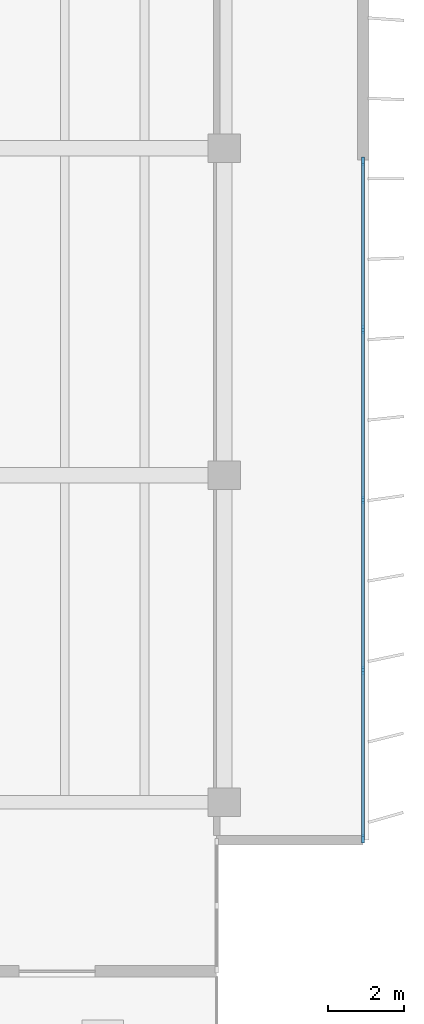
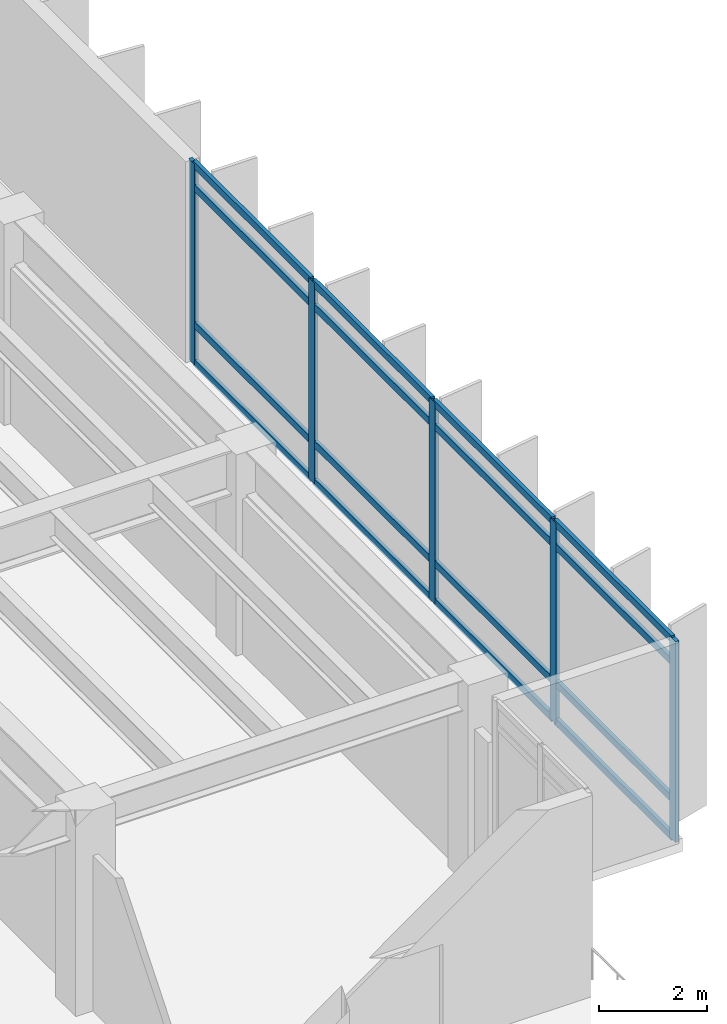
# One storey, part 6 of 15: 21 members, 1 element without a shape of its own.
"""IFC4 building model written with IfcOpenShell, lengths in metres."""

from ifc_helpers import new_model, si_unit, direction, frame, origin, origin_2d, place, context, subcontext, project, spatial, rectangle, extrude, material, layer, layer_set, material_profile, profile_set, type_object, element, aggregate, save


model = new_model("IFC4")

# Units and contexts
model_context = context("Model", 3, precision=1e-05, world=origin(), true_north=direction((0.0, 1.0)))
body_context = subcontext(model_context, "Body", "Model", "MODEL_VIEW")
ifc_project = project(units=[si_unit("LENGTHUNIT", "METRE"), si_unit("AREAUNIT", "SQUARE_METRE"), si_unit("VOLUMEUNIT", "CUBIC_METRE"), si_unit("PLANEANGLEUNIT", "RADIAN"), si_unit("MASSUNIT", "GRAM", prefix="KILO")], contexts=[model_context])

# Site, building, storey
site_placement = place(None, origin())
site = spatial("IfcSite", under=ifc_project, at=site_placement, CompositionType="ELEMENT")
building_placement = place(site_placement, origin())
building = spatial("IfcBuilding", under=site, at=building_placement, Name="Caelmar Bay Residences", CompositionType="ELEMENT")
storey_placement = place(building_placement, frame((0.0, 0.0, 183.60009765625)))
storey = spatial("IfcBuildingStorey", under=building, at=storey_placement, Name="L51", CompositionType="ELEMENT", Elevation=183.60009765625)

# Curtain wall, members
ifc_material_1 = material(Name="Anodised bronze aluminium 6063-T6 and laminated glass", Category="aluminium")
ifc_layer = layer(ifc_material_1, 0.179931640625)
ifc_layer_set = layer_set([ifc_layer], Name="Anodised bronze aluminium 6063-T6 and laminated glass")
curtain_wall_type = type_object("IfcCurtainWallType", Name="CW7-CRN", PredefinedType="NOTDEFINED", material=ifc_layer_set)
curtain_wall_placement = place(storey_placement, origin())
curtain_wall = element("IfcCurtainWall", 1, at=curtain_wall_placement, inside=storey, type_object=curtain_wall_type, Name="CW7 curtain wall L51", PredefinedType="NOTDEFINED")
ifc_material_2 = material(Name="Anodised bronze aluminium 6063-T6", Category="aluminium")
ifc_material_profile_1 = material_profile(ifc_material_2, rectangle(XDim=0.080078125, YDim=0.219970703125, at=origin_2d()), Name="CWM-80X220")
ifc_profile_set_1 = profile_set([ifc_material_profile_1], Name="Anodised bronze aluminium 6063-T6")
member_type_1 = type_object("IfcMemberType", Name="CWM-220", PredefinedType="MULLION", material=ifc_profile_set_1)
member_1_placement = place(storey_placement, frame((71.550048828125, 29.06005859375, 0.0), z_axis=(0.0, 0.0, 1.0), x_axis=(1.0, 0.0, 0.0)))
member_1 = element("IfcMember", 2, at=member_1_placement, type_object=member_type_1, Name="CW7 mullion 1", PredefinedType="MULLION", context=body_context, shape_type="SweptSolid", body=[
    extrude(rectangle(XDim=0.080078125, YDim=0.219970703125, at=origin_2d()), origin(), (0.0, 0.0, 1.0), 4.5498046875),
])
member_2_placement = place(storey_placement, frame((71.550048828125, 24.625, 0.0), z_axis=(0.0, 0.0, 1.0), x_axis=(1.0, 0.0, 0.0)))
member_2 = element("IfcMember", 3, at=member_2_placement, type_object=member_type_1, Name="CW7 mullion 2", PredefinedType="MULLION", context=body_context, shape_type="SweptSolid", body=[
    extrude(rectangle(XDim=0.080078125, YDim=0.219970703125, at=origin_2d()), origin(), (0.0, 0.0, 1.0), 4.5498046875),
])
member_3_placement = place(storey_placement, frame((71.550048828125, 20.14990234375, 0.0), z_axis=(0.0, 0.0, 1.0), x_axis=(1.0, 0.0, 0.0)))
member_3 = element("IfcMember", 4, at=member_3_placement, type_object=member_type_1, Name="CW7 mullion 3", PredefinedType="MULLION", context=body_context, shape_type="SweptSolid", body=[
    extrude(rectangle(XDim=0.080078125, YDim=0.219970703125, at=origin_2d()), origin(), (0.0, 0.0, 1.0), 4.5498046875),
])
member_4_placement = place(storey_placement, frame((71.550048828125, 15.675048828125, 0.0), z_axis=(0.0, 0.0, 1.0), x_axis=(1.0, 0.0, 0.0)))
member_4 = element("IfcMember", 5, at=member_4_placement, type_object=member_type_1, Name="CW7 mullion 4", PredefinedType="MULLION", context=body_context, shape_type="SweptSolid", body=[
    extrude(rectangle(XDim=0.080078125, YDim=0.219970703125, at=origin_2d()), origin(), (0.0, 0.0, 1.0), 4.5498046875),
])
member_5_placement = place(storey_placement, frame((71.550048828125, 11.239990234375, 0.0), z_axis=(0.0, 0.0, 1.0), x_axis=(1.0, 0.0, 0.0)))
member_5 = element("IfcMember", 6, at=member_5_placement, type_object=member_type_1, Name="CW7 mullion 5", PredefinedType="MULLION", context=body_context, shape_type="SweptSolid", body=[
    extrude(rectangle(XDim=0.080078125, YDim=0.219970703125, at=origin_2d()), origin(), (0.0, 0.0, 1.0), 4.5498046875),
])
ifc_material_profile_2 = material_profile(ifc_material_2, rectangle(XDim=0.080078125, YDim=0.159912109375, at=origin_2d()), Name="CWT-80X160")
ifc_profile_set_2 = profile_set([ifc_material_profile_2], Name="Anodised bronze aluminium 6063-T6")
member_type_2 = type_object("IfcMemberType", Name="CWT-160", PredefinedType="NOTDEFINED", material=ifc_profile_set_2)
member_6_placement = place(storey_placement, frame((71.550048828125, 29.02001953125, 0.039794921875), z_axis=(0.0, -1.0, 0.0), x_axis=(1.0, 0.0, 0.0)))
member_6 = element("IfcMember", 7, at=member_6_placement, type_object=member_type_2, Name="CW7 transom 1.1", ObjectType="TRANSOM", PredefinedType="USERDEFINED", context=body_context, shape_type="SweptSolid", body=[
    extrude(rectangle(XDim=0.080078125, YDim=0.159912109375, at=origin_2d()), origin(), (0.0, 0.0, 1.0), 4.35498046875),
])
member_7_placement = place(storey_placement, frame((71.550048828125, 29.02001953125, 0.89990234375), z_axis=(0.0, -1.0, 0.0), x_axis=(1.0, 0.0, 0.0)))
member_7 = element("IfcMember", 8, at=member_7_placement, type_object=member_type_2, Name="CW7 transom 1.2", ObjectType="TRANSOM", PredefinedType="USERDEFINED", context=body_context, shape_type="SweptSolid", body=[
    extrude(rectangle(XDim=0.080078125, YDim=0.159912109375, at=origin_2d()), origin(), (0.0, 0.0, 1.0), 4.35498046875),
])
member_8_placement = place(storey_placement, frame((71.550048828125, 29.02001953125, 4.0), z_axis=(0.0, -1.0, 0.0), x_axis=(1.0, 0.0, 0.0)))
member_8 = element("IfcMember", 9, at=member_8_placement, type_object=member_type_2, Name="CW7 transom 1.3", ObjectType="TRANSOM", PredefinedType="USERDEFINED", context=body_context, shape_type="SweptSolid", body=[
    extrude(rectangle(XDim=0.080078125, YDim=0.159912109375, at=origin_2d()), origin(), (0.0, 0.0, 1.0), 4.35498046875),
])
member_9_placement = place(storey_placement, frame((71.550048828125, 29.02001953125, 4.510009765625), z_axis=(0.0, -1.0, 0.0), x_axis=(1.0, 0.0, 0.0)))
member_9 = element("IfcMember", 10, at=member_9_placement, type_object=member_type_2, Name="CW7 transom 1.4", ObjectType="TRANSOM", PredefinedType="USERDEFINED", context=body_context, shape_type="SweptSolid", body=[
    extrude(rectangle(XDim=0.080078125, YDim=0.159912109375, at=origin_2d()), origin(), (0.0, 0.0, 1.0), 4.35498046875),
])
member_10_placement = place(storey_placement, frame((71.550048828125, 24.5849609375, 0.039794921875), z_axis=(0.0, -1.0, 0.0), x_axis=(1.0, 0.0, 0.0)))
member_10 = element("IfcMember", 11, at=member_10_placement, type_object=member_type_2, Name="CW7 transom 2.1", ObjectType="TRANSOM", PredefinedType="USERDEFINED", context=body_context, shape_type="SweptSolid", body=[
    extrude(rectangle(XDim=0.080078125, YDim=0.159912109375, at=origin_2d()), origin(), (0.0, 0.0, 1.0), 4.39501953125),
])
member_11_placement = place(storey_placement, frame((71.550048828125, 24.5849609375, 0.89990234375), z_axis=(0.0, -1.0, 0.0), x_axis=(1.0, 0.0, 0.0)))
member_11 = element("IfcMember", 12, at=member_11_placement, type_object=member_type_2, Name="CW7 transom 2.2", ObjectType="TRANSOM", PredefinedType="USERDEFINED", context=body_context, shape_type="SweptSolid", body=[
    extrude(rectangle(XDim=0.080078125, YDim=0.159912109375, at=origin_2d()), origin(), (0.0, 0.0, 1.0), 4.39501953125),
])
member_12_placement = place(storey_placement, frame((71.550048828125, 24.5849609375, 4.0), z_axis=(0.0, -1.0, 0.0), x_axis=(1.0, 0.0, 0.0)))
member_12 = element("IfcMember", 13, at=member_12_placement, type_object=member_type_2, Name="CW7 transom 2.3", ObjectType="TRANSOM", PredefinedType="USERDEFINED", context=body_context, shape_type="SweptSolid", body=[
    extrude(rectangle(XDim=0.080078125, YDim=0.159912109375, at=origin_2d()), origin(), (0.0, 0.0, 1.0), 4.39501953125),
])
member_13_placement = place(storey_placement, frame((71.550048828125, 24.5849609375, 4.510009765625), z_axis=(0.0, -1.0, 0.0), x_axis=(1.0, 0.0, 0.0)))
member_13 = element("IfcMember", 14, at=member_13_placement, type_object=member_type_2, Name="CW7 transom 2.4", ObjectType="TRANSOM", PredefinedType="USERDEFINED", context=body_context, shape_type="SweptSolid", body=[
    extrude(rectangle(XDim=0.080078125, YDim=0.159912109375, at=origin_2d()), origin(), (0.0, 0.0, 1.0), 4.39501953125),
])
member_14_placement = place(storey_placement, frame((71.550048828125, 20.110107421875, 0.039794921875), z_axis=(0.0, -1.0, 0.0), x_axis=(1.0, 0.0, 0.0)))
member_14 = element("IfcMember", 15, at=member_14_placement, type_object=member_type_2, Name="CW7 transom 3.1", ObjectType="TRANSOM", PredefinedType="USERDEFINED", context=body_context, shape_type="SweptSolid", body=[
    extrude(rectangle(XDim=0.080078125, YDim=0.159912109375, at=origin_2d()), origin(), (0.0, 0.0, 1.0), 4.39501953125),
])
member_15_placement = place(storey_placement, frame((71.550048828125, 20.110107421875, 0.89990234375), z_axis=(0.0, -1.0, 0.0), x_axis=(1.0, 0.0, 0.0)))
member_15 = element("IfcMember", 16, at=member_15_placement, type_object=member_type_2, Name="CW7 transom 3.2", ObjectType="TRANSOM", PredefinedType="USERDEFINED", context=body_context, shape_type="SweptSolid", body=[
    extrude(rectangle(XDim=0.080078125, YDim=0.159912109375, at=origin_2d()), origin(), (0.0, 0.0, 1.0), 4.39501953125),
])
member_16_placement = place(storey_placement, frame((71.550048828125, 20.110107421875, 4.0), z_axis=(0.0, -1.0, 0.0), x_axis=(1.0, 0.0, 0.0)))
member_16 = element("IfcMember", 17, at=member_16_placement, type_object=member_type_2, Name="CW7 transom 3.3", ObjectType="TRANSOM", PredefinedType="USERDEFINED", context=body_context, shape_type="SweptSolid", body=[
    extrude(rectangle(XDim=0.080078125, YDim=0.159912109375, at=origin_2d()), origin(), (0.0, 0.0, 1.0), 4.39501953125),
])
member_17_placement = place(storey_placement, frame((71.550048828125, 20.110107421875, 4.510009765625), z_axis=(0.0, -1.0, 0.0), x_axis=(1.0, 0.0, 0.0)))
member_17 = element("IfcMember", 18, at=member_17_placement, type_object=member_type_2, Name="CW7 transom 3.4", ObjectType="TRANSOM", PredefinedType="USERDEFINED", context=body_context, shape_type="SweptSolid", body=[
    extrude(rectangle(XDim=0.080078125, YDim=0.159912109375, at=origin_2d()), origin(), (0.0, 0.0, 1.0), 4.39501953125),
])
member_18_placement = place(storey_placement, frame((71.550048828125, 15.635009765625, 0.039794921875), z_axis=(0.0, -1.0, 0.0), x_axis=(1.0, 0.0, 0.0)))
member_18 = element("IfcMember", 19, at=member_18_placement, type_object=member_type_2, Name="CW7 transom 4.1", ObjectType="TRANSOM", PredefinedType="USERDEFINED", context=body_context, shape_type="SweptSolid", body=[
    extrude(rectangle(XDim=0.080078125, YDim=0.159912109375, at=origin_2d()), origin(), (0.0, 0.0, 1.0), 4.35498046875),
])
member_19_placement = place(storey_placement, frame((71.550048828125, 15.635009765625, 0.89990234375), z_axis=(0.0, -1.0, 0.0), x_axis=(1.0, 0.0, 0.0)))
member_19 = element("IfcMember", 20, at=member_19_placement, type_object=member_type_2, Name="CW7 transom 4.2", ObjectType="TRANSOM", PredefinedType="USERDEFINED", context=body_context, shape_type="SweptSolid", body=[
    extrude(rectangle(XDim=0.080078125, YDim=0.159912109375, at=origin_2d()), origin(), (0.0, 0.0, 1.0), 4.35498046875),
])
member_20_placement = place(storey_placement, frame((71.550048828125, 15.635009765625, 4.0), z_axis=(0.0, -1.0, 0.0), x_axis=(1.0, 0.0, 0.0)))
member_20 = element("IfcMember", 21, at=member_20_placement, type_object=member_type_2, Name="CW7 transom 4.3", ObjectType="TRANSOM", PredefinedType="USERDEFINED", context=body_context, shape_type="SweptSolid", body=[
    extrude(rectangle(XDim=0.080078125, YDim=0.159912109375, at=origin_2d()), origin(), (0.0, 0.0, 1.0), 4.35498046875),
])
member_21_placement = place(storey_placement, frame((71.550048828125, 15.635009765625, 4.510009765625), z_axis=(0.0, -1.0, 0.0), x_axis=(1.0, 0.0, 0.0)))
member_21 = element("IfcMember", 22, at=member_21_placement, type_object=member_type_2, Name="CW7 transom 4.4", ObjectType="TRANSOM", PredefinedType="USERDEFINED", context=body_context, shape_type="SweptSolid", body=[
    extrude(rectangle(XDim=0.080078125, YDim=0.159912109375, at=origin_2d()), origin(), (0.0, 0.0, 1.0), 4.35498046875),
])
aggregate(curtain_wall, [member_1, member_2, member_3, member_4, member_5, member_6, member_7, member_8, member_9, member_10, member_11, member_12, member_13, member_14, member_15, member_16, member_17, member_18, member_19, member_20, member_21])

save(model, "model.ifc")
